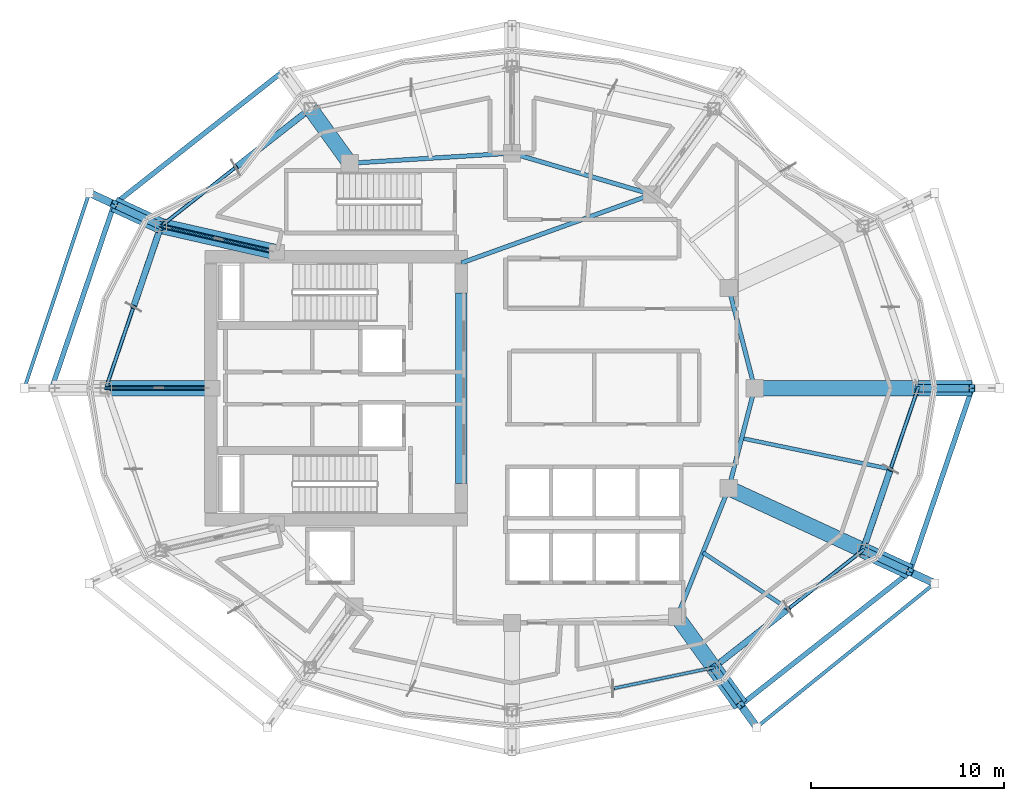
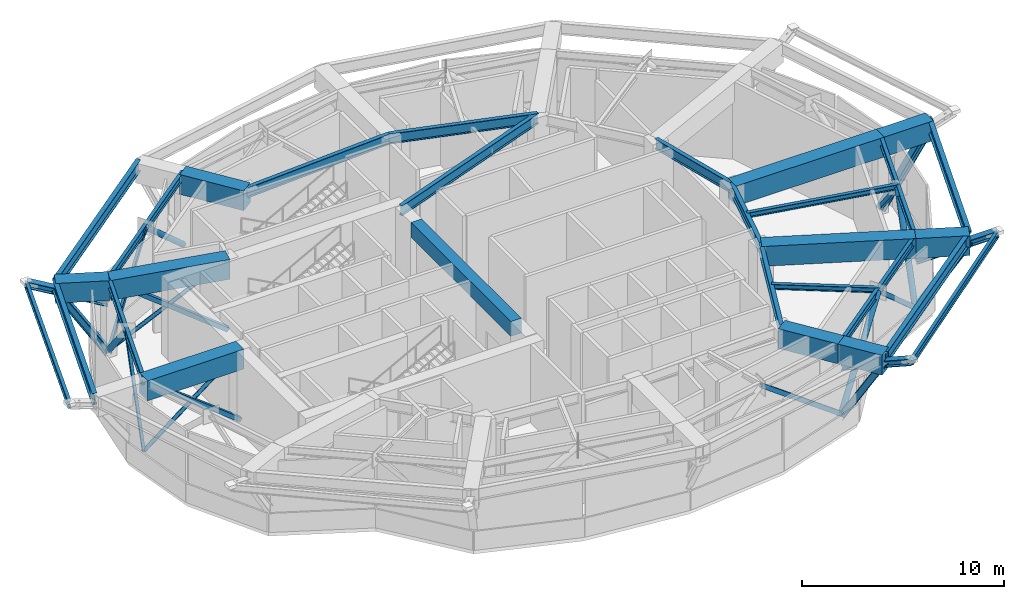
# One storey, part 2 of 13: 29 beams, 22 members.
"""IFC4 building model written with IfcOpenShell, lengths in metres."""

import ifcopenshell
import ifcopenshell.guid

model = None  # the IFC model being written
_history = None  # IfcOwnerHistory: only IFC2X3 demands one
_inside = {}  # id of a spatial element -> (the spatial element, [elements in it])
_under = {}  # id of a project, library or spatial element -> (it, [spatial elements below it])
_declared = {}  # id of a project -> (the project, [libraries it declares])
_typed = {}  # id of a type object -> (the type object, [elements of that type])
_made_of = {}  # id of a material, layer set ... -> (it, [elements and type objects made of it])


def new_model(schema):
    """Start an empty IFC model of exactly this schema.

    Asked for "IFC4X3", IfcOpenShell would pick the latest addendum, in which some entities
    have other attributes; the version numbers below select the first issue.
    IFC2X3 requires an IfcOwnerHistory on every rooted entity: one is made here for all.
    """
    global model, _history
    if schema == "IFC4X3":
        model = ifcopenshell.file(schema_version=(4, 3, 0, 0))
    else:
        model = ifcopenshell.file(schema=schema)
    _inside.clear()
    _under.clear()
    _declared.clear()
    _typed.clear()
    _made_of.clear()
    _history = None
    if model.schema == "IFC2X3":
        org = make("IfcOrganization", Name="unknown")
        user = make(
            "IfcPersonAndOrganization",
            ThePerson=make("IfcPerson", FamilyName="unknown"),
            TheOrganization=org,
        )
        app = make(
            "IfcApplication",
            ApplicationDeveloper=org,
            Version="unknown",
            ApplicationFullName="unknown",
            ApplicationIdentifier="unknown",
        )
        _history = make(
            "IfcOwnerHistory",
            OwningUser=user,
            OwningApplication=app,
            ChangeAction="ADDED",
            CreationDate=0,
        )
    return model


def make(cls, **values):
    """One entity of the class cls with the attributes given. An attribute that is None is left unset."""
    return model.create_entity(
        cls, **{name: value for name, value in values.items() if value is not None}
    )


def rooted(cls, **values):
    """An entity with a GlobalId (a new one), such as an element, a storey or a relation."""
    return make(cls, GlobalId=ifcopenshell.guid.new(), OwnerHistory=_history, **values)


def si_unit(unit_type, name, prefix=None):
    """IfcSIUnit, for example si_unit("LENGTHUNIT", "METRE", prefix="MILLI")."""
    return make("IfcSIUnit", UnitType=unit_type, Prefix=prefix, Name=name)


def assignment(units):
    """IfcUnitAssignment: the units of a project."""
    return None if units is None else make("IfcUnitAssignment", Units=units)


def point(xyz):
    """IfcCartesianPoint."""
    return None if xyz is None else make("IfcCartesianPoint", Coordinates=xyz)


def direction(xyz):
    """IfcDirection."""
    return None if xyz is None else make("IfcDirection", DirectionRatios=xyz)


def frame(location, z_axis=None, x_axis=None):
    """IfcAxis2Placement3D, a coordinate frame: its origin and axes. An axis left out is left unset."""
    return make(
        "IfcAxis2Placement3D",
        Location=point(location),
        Axis=direction(z_axis),
        RefDirection=direction(x_axis),
    )


def frame_2d(location, x_axis=None):
    """IfcAxis2Placement2D, a coordinate frame in the plane: its origin and x axis."""
    return make(
        "IfcAxis2Placement2D", Location=point(location), RefDirection=direction(x_axis)
    )


def origin():
    """The frame at (0, 0, 0) with its axes left unset."""
    return frame((0.0, 0.0, 0.0))


def origin_2d():
    """The frame at (0, 0) in the plane with its x axis left unset."""
    return frame_2d((0.0, 0.0))


def place(relative_to, where):
    """IfcLocalPlacement: puts the frame where relative to a parent placement (None: the world)."""
    return make(
        "IfcLocalPlacement", PlacementRelTo=relative_to, RelativePlacement=where
    )


def context(
    kind, dimensions, precision=None, world=None, true_north=None, identifier=None
):
    """IfcGeometricRepresentationContext, for example the 3D "Model" context."""
    return make(
        "IfcGeometricRepresentationContext",
        ContextIdentifier=identifier,
        ContextType=kind,
        CoordinateSpaceDimension=dimensions,
        Precision=precision,
        WorldCoordinateSystem=world,
        TrueNorth=true_north,
    )


def subcontext(parent, identifier, kind, view, scale=None):
    """IfcGeometricRepresentationSubContext, for example "Body" below "Model"."""
    return make(
        "IfcGeometricRepresentationSubContext",
        ContextIdentifier=identifier,
        ContextType=kind,
        ParentContext=parent,
        TargetScale=scale,
        TargetView=view,
    )


def project(units=None, contexts=None):
    """IfcProject with its units and contexts."""
    return rooted(
        "IfcProject",
        Name="project",
        RepresentationContexts=contexts,
        UnitsInContext=assignment(units),
    )


def spatial(cls, under=None, at=None, **own):
    """A site, building, storey or space (cls), placed at a placement, below another one or the project."""
    s = rooted(cls, ObjectPlacement=at, **own)
    if under is not None:
        _under.setdefault(under.id(), (under, []))[1].append(s)
    return s


def profile(cls, at=None, kind="AREA", **sizes):
    """A parametric profile (cls). Its sizes go by their IFC names, for example OverallWidth=200.0."""
    return make(cls, ProfileType=kind, Position=at, **sizes)


def rectangle(**sizes):
    """IfcRectangleProfileDef."""
    return profile("IfcRectangleProfileDef", **sizes)


def hollow_rectangle(**sizes):
    """IfcRectangleHollowProfileDef."""
    return profile("IfcRectangleHollowProfileDef", **sizes)


def hollow_circle(**sizes):
    """IfcCircleHollowProfileDef."""
    return profile("IfcCircleHollowProfileDef", **sizes)


def i_section(**sizes):
    """IfcIShapeProfileDef."""
    return profile("IfcIShapeProfileDef", **sizes)


def extrude(swept, where, along, depth):
    """IfcExtrudedAreaSolid: the profile swept, set in the frame where, extruded along a direction by depth."""
    return make(
        "IfcExtrudedAreaSolid",
        SweptArea=swept,
        Position=where,
        ExtrudedDirection=direction(along),
        Depth=depth,
    )


def shape(context_of_items, identifier, shape_type, items):
    """IfcShapeRepresentation: the items that make up one representation, for example the "Body"."""
    return make(
        "IfcShapeRepresentation",
        ContextOfItems=context_of_items,
        RepresentationIdentifier=identifier,
        RepresentationType=shape_type,
        Items=items,
    )


def material(Name=None, Category=None):
    """IfcMaterial."""
    return make("IfcMaterial", Name=Name, Category=Category)


def material_profile(
    of_material, cross_section, Name=None, Category=None, Priority=None
):
    """IfcMaterialProfile: a cross section and its material."""
    return make(
        "IfcMaterialProfile",
        Name=Name,
        Material=of_material,
        Profile=cross_section,
        Priority=Priority,
        Category=Category,
    )


def profile_set(profiles, Name=None, composite=None):
    """IfcMaterialProfileSet."""
    return make(
        "IfcMaterialProfileSet",
        Name=Name,
        MaterialProfiles=profiles,
        CompositeProfile=composite,
    )


def made_of(thing, what):
    """Note that an element or type object is made of a material, layer set ...; save() writes the relation."""
    if what is not None:
        _made_of.setdefault(what.id(), (what, []))[1].append(thing)
    return thing


def type_object(cls, material=None, **own):
    """A type object (cls), such as IfcWallType, which elements share."""
    return made_of(rooted(cls, **own), material)


def element(
    cls,
    number,
    at=None,
    inside=None,
    cuts=None,
    type_object=None,
    material=None,
    context=None,
    identifier="Body",
    shape_type=None,
    held_by="IfcProductDefinitionShape",
    body=None,
    shapes=None,
    **own,
):
    """One element of the class cls, such as IfcWall. Its Tag is "e" and its number.

    at: its placement. inside: the storey or other place that contains it. cuts: it is an
    opening in that element (IfcRelVoidsElement). A single representation is given by context,
    identifier, shape_type and body (its items); several are given by shapes. held_by: the class
    of the entity that holds the representations. save() writes the other relations.
    """
    e = rooted(cls, Tag="e%d" % number, ObjectPlacement=at, **own)
    if body is not None:
        shapes = [shape(context, identifier, shape_type, body)]
    if shapes is not None:
        e.Representation = make(held_by, Representations=shapes)
    if inside is not None:
        _inside.setdefault(inside.id(), (inside, []))[1].append(e)
    if cuts is not None:
        rooted(
            "IfcRelVoidsElement", RelatingBuildingElement=cuts, RelatedOpeningElement=e
        )
    if type_object is not None:
        _typed.setdefault(type_object.id(), (type_object, []))[1].append(e)
    return made_of(e, material)


def aggregate(whole, parts):
    """IfcRelAggregates: a whole, such as a stair, and the parts it consists of."""
    return rooted("IfcRelAggregates", RelatingObject=whole, RelatedObjects=parts)


def save(model, path):
    """Write the relations noted so far, then the file.

    IfcRelAggregates (storeys below a building ...), IfcRelContainedInSpatialStructure (elements
    in a storey), IfcRelDefinesByType, IfcRelAssociatesMaterial and IfcRelDeclares: one each for
    every whole, place, type object, material and project.
    """
    for whole, parts in _under.values():
        aggregate(whole, parts)
    for where, things in _inside.values():
        rooted(
            "IfcRelContainedInSpatialStructure",
            RelatedElements=things,
            RelatingStructure=where,
        )
    for kind, things in _typed.values():
        rooted("IfcRelDefinesByType", RelatedObjects=things, RelatingType=kind)
    for what, things in _made_of.values():
        rooted("IfcRelAssociatesMaterial", RelatedObjects=things, RelatingMaterial=what)
    for by, libraries in _declared.values():
        rooted("IfcRelDeclares", RelatingContext=by, RelatedDefinitions=libraries)
    model.write(path)


model = new_model("IFC4")

# Units and contexts
model_context = context("Model", 3, precision=1e-05, world=origin(), true_north=direction((0.0, 1.0)))
body_context = subcontext(model_context, "Body", "Model", "MODEL_VIEW")
ifc_project = project(units=[si_unit("LENGTHUNIT", "METRE"), si_unit("AREAUNIT", "SQUARE_METRE"), si_unit("VOLUMEUNIT", "CUBIC_METRE"), si_unit("PLANEANGLEUNIT", "RADIAN"), si_unit("MASSUNIT", "GRAM", prefix="KILO")], contexts=[model_context])

# Site, building, storey
site_placement = place(None, origin())
site = spatial("IfcSite", under=ifc_project, at=site_placement, CompositionType="ELEMENT")
building_placement = place(site_placement, origin())
building = spatial("IfcBuilding", under=site, at=building_placement, Name="Kolvaren Gate Tower and Convention Centre", CompositionType="ELEMENT")
storey_placement = place(building_placement, frame((0.0, 0.0, 186.89990234375)))
storey = spatial("IfcBuildingStorey", under=building, at=storey_placement, Name="L49", CompositionType="ELEMENT", Elevation=186.89990234375)

# Beams
ifc_material_1 = material(Name="Structural steel ASTM A992 Grade 345 MPa", Category="steel")
ifc_material_profile_1 = material_profile(ifc_material_1, i_section(OverallWidth=0.22998046875, OverallDepth=0.616943359375, WebThickness=0.01318359375, FlangeThickness=0.022216796875, at=origin_2d()), Name="W610X140")
ifc_profile_set_1 = profile_set([ifc_material_profile_1], Name="Structural steel ASTM A992 Grade 345 MPa")
beam_type_1 = type_object("IfcBeamType", Name="STR-BM-W610X140", PredefinedType="BEAM", material=ifc_profile_set_1)
beam_1_placement = place(storey_placement, frame((42.72509765625, 27.0, 4.41162109375), z_axis=(-0.250091133936, -0.968222301296, 0.0), x_axis=(0.968222301296, -0.250091133936, 0.0)))
element("IfcBeam", 1, at=beam_1_placement, inside=storey, type_object=beam_type_1, Name="Tower L49 Primary Ring Girder G-01", PredefinedType="BEAM", context=body_context, shape_type="SweptSolid", body=[
    extrude(i_section(OverallWidth=0.22998046875, OverallDepth=0.616943359375, WebThickness=0.01318359375, FlangeThickness=0.022216796875, at=origin_2d()), origin(), (0.0, 0.0, 1.0), 5.3701171875),
])
beam_2_placement = place(storey_placement, frame((37.381591796875, 37.054931640625, 4.41162109375), z_axis=(-0.958980837827, 0.283470902706, 0.0), x_axis=(-0.283470902706, -0.958980837827, 0.0)))
element("IfcBeam", 2, at=beam_2_placement, inside=storey, type_object=beam_type_1, Name="Tower L49 Primary Ring Girder G-03", PredefinedType="BEAM", context=body_context, shape_type="SweptSolid", body=[
    extrude(i_section(OverallWidth=0.22998046875, OverallDepth=0.616943359375, WebThickness=0.01318359375, FlangeThickness=0.022216796875, at=origin_2d()), origin(), (0.0, 0.0, 1.0), 7.56689453125),
])
beam_3_placement = place(storey_placement, frame((30.125, 39.199951171875, 4.41162109375), z_axis=(-0.998078258568, -0.06196603726, 0.0), x_axis=(0.06196603726, -0.998078258568, 0.0)))
element("IfcBeam", 3, at=beam_3_placement, inside=storey, type_object=beam_type_1, Name="Tower L49 Primary Ring Girder G-04", PredefinedType="BEAM", context=body_context, shape_type="SweptSolid", body=[
    extrude(i_section(OverallWidth=0.22998046875, OverallDepth=0.616943359375, WebThickness=0.01318359375, FlangeThickness=0.022216796875, at=origin_2d()), origin(), (0.0, 0.0, 1.0), 8.443115234375),
])
beam_4_placement = place(storey_placement, frame((38.6982421875, 15.12060546875, 4.41162109375), z_axis=(0.372811100169, 0.927907260232, 0.0), x_axis=(-0.927907260232, 0.372811100169, 0.0)))
element("IfcBeam", 4, at=beam_4_placement, inside=storey, type_object=beam_type_1, Name="Tower L49 Primary Ring Girder G-09", PredefinedType="BEAM", context=body_context, shape_type="SweptSolid", body=[
    extrude(i_section(OverallWidth=0.22998046875, OverallDepth=0.616943359375, WebThickness=0.01318359375, FlangeThickness=0.022216796875, at=origin_2d()), origin(), (0.0, 0.0, 1.0), 7.198974609375),
])
beam_5_placement = place(storey_placement, frame((27.5, 33.5, 4.41162109375), z_axis=(0.940961479908, 0.338513653093, 0.0), x_axis=(-0.338513653093, 0.940961479908, 0.0)))
element("IfcBeam", 5, at=beam_5_placement, inside=storey, type_object=beam_type_1, Name="Tower L49 Primary Ring Girder G-10", PredefinedType="BEAM", context=body_context, shape_type="SweptSolid", body=[
    extrude(i_section(OverallWidth=0.22998046875, OverallDepth=0.616943359375, WebThickness=0.01318359375, FlangeThickness=0.022216796875, at=origin_2d()), origin(), (0.0, 0.0, 1.0), 10.501708984375),
])
beam_6_placement = place(storey_placement, frame((42.72509765625, 27.0, 4.41162109375), z_axis=(-0.250091133936, 0.968222301296, 0.0), x_axis=(-0.968222301296, -0.250091133936, 0.0)))
element("IfcBeam", 6, at=beam_6_placement, inside=storey, type_object=beam_type_1, Name="Tower L49 Primary Ring Girder G-12", PredefinedType="BEAM", context=body_context, shape_type="SweptSolid", body=[
    extrude(i_section(OverallWidth=0.22998046875, OverallDepth=0.616943359375, WebThickness=0.01318359375, FlangeThickness=0.022216796875, at=origin_2d()), origin(), (0.0, 0.0, 1.0), 5.3701171875),
])
ifc_material_profile_2 = material_profile(ifc_material_1, i_section(OverallWidth=0.256103515625, OverallDepth=0.693115234375, WebThickness=0.014404296875, FlangeThickness=0.023681640625, at=origin_2d()), Name="W690X170")
ifc_profile_set_2 = profile_set([ifc_material_profile_2], Name="Structural steel ASTM A992 Grade 345 MPa")
beam_type_2 = type_object("IfcBeamType", Name="STR-BM-W690X170", PredefinedType="BEAM", material=ifc_profile_set_2)
beam_7_placement = place(storey_placement, frame((18.247314453125, 43.4580078125, 4.37353515625), z_axis=(-0.78579365551, -0.618488747643, 0.0), x_axis=(0.618488747643, -0.78579365551, 0.0)))
element("IfcBeam", 7, at=beam_7_placement, inside=storey, type_object=beam_type_2, Name="Tower L49 Flare Perimeter Edge Girder FSP-05", PredefinedType="BEAM", context=body_context, shape_type="SweptSolid", body=[
    extrude(i_section(OverallWidth=0.256103515625, OverallDepth=0.693115234375, WebThickness=0.014404296875, FlangeThickness=0.023681640625, at=origin_2d()), origin(), (0.0, 0.0, 1.0), 11.179443359375),
])
beam_8_placement = place(storey_placement, frame((9.462646484375, 36.543701171875, 4.37353515625), z_axis=(-0.321252507379, -0.946993572577, 0.0), x_axis=(0.946993572577, -0.321252507379, 0.0)))
element("IfcBeam", 8, at=beam_8_placement, inside=storey, type_object=beam_type_2, Name="Tower L49 Flare Perimeter Edge Girder FSP-06", PredefinedType="BEAM", context=body_context, shape_type="SweptSolid", body=[
    extrude(i_section(OverallWidth=0.256103515625, OverallDepth=0.693115234375, WebThickness=0.014404296875, FlangeThickness=0.023681640625, at=origin_2d()), origin(), (0.0, 0.0, 1.0), 10.077880859375),
])
beam_9_placement = place(storey_placement, frame((42.002685546875, 10.5419921875, 4.37353515625), z_axis=(0.78579365551, 0.618488747643, 0.0), x_axis=(-0.618488747643, 0.78579365551, 0.0)))
element("IfcBeam", 9, at=beam_9_placement, inside=storey, type_object=beam_type_2, Name="Tower L49 Flare Perimeter Edge Girder FSP-11", PredefinedType="BEAM", context=body_context, shape_type="SweptSolid", body=[
    extrude(i_section(OverallWidth=0.256103515625, OverallDepth=0.693115234375, WebThickness=0.014404296875, FlangeThickness=0.023681640625, at=origin_2d()), origin(), (0.0, 0.0, 1.0), 11.179443359375),
])
beam_10_placement = place(storey_placement, frame((50.787353515625, 17.456298828125, 4.37353515625), z_axis=(0.321252507379, 0.946993572577, 0.0), x_axis=(-0.946993572577, 0.321252507379, 0.0)))
element("IfcBeam", 10, at=beam_10_placement, inside=storey, type_object=beam_type_2, Name="Tower L49 Flare Perimeter Edge Girder FSP-12", PredefinedType="BEAM", context=body_context, shape_type="SweptSolid", body=[
    extrude(i_section(OverallWidth=0.256103515625, OverallDepth=0.693115234375, WebThickness=0.014404296875, FlangeThickness=0.023681640625, at=origin_2d()), origin(), (0.0, 0.0, 1.0), 10.077880859375),
])

# Members
ifc_material_2 = material(Name="Structural steel ASTM A500 Grade C 345 MPa", Category="steel")
ifc_material_profile_3 = material_profile(ifc_material_2, hollow_circle(Radius=0.162109375, WallThickness=0.015869140625, at=origin_2d()), Name="CHS324X15.9")
ifc_profile_set_3 = profile_set([ifc_material_profile_3], Name="Structural steel ASTM A500 Grade C 345 MPa")
member_type_1 = type_object("IfcMemberType", Name="STR-BR-CHS324", PredefinedType="BRACE", material=ifc_profile_set_3)
member_1_placement = place(storey_placement, frame((19.65380859375, 41.509521484375, 0.25), z_axis=(-0.596582450808, -0.468507270926, 0.651605951843), x_axis=(0.617629103131, -0.786469510512, 0.0)))
element("IfcMember", 11, at=member_1_placement, inside=storey, type_object=member_type_1, Name="Perimeter Belt Truss Diagonal BT-L49-05A", PredefinedType="BRACE", context=body_context, shape_type="SweptSolid", body=[
    extrude(hollow_circle(Radius=0.162109375, WallThickness=0.015869140625, at=origin_2d()), origin(), (0.0, 0.0, 1.0), 6.500244140625),
])
member_2_placement = place(storey_placement, frame((11.898193359375, 35.418701171875, 0.25), z_axis=(-0.232909940592, -0.685529736374, 0.689783980765), x_axis=(0.946844353058, -0.321692043859, 0.0)))
element("IfcMember", 12, at=member_2_placement, inside=storey, type_object=member_type_1, Name="Perimeter Belt Truss Diagonal BT-L49-06A", PredefinedType="BRACE", context=body_context, shape_type="SweptSolid", body=[
    extrude(hollow_circle(Radius=0.162109375, WallThickness=0.015869140625, at=origin_2d()), origin(), (0.0, 0.0, 1.0), 6.140380859375),
])
member_3_placement = place(storey_placement, frame((40.596435546875, 12.490478515625, 0.25), z_axis=(0.596558258833, 0.468517768727, 0.65162055232), x_axis=(-0.617653154697, 0.786450621777, 0.0)))
element("IfcMember", 13, at=member_3_placement, inside=storey, type_object=member_type_1, Name="Perimeter Belt Truss Diagonal BT-L49-11A", PredefinedType="BRACE", context=body_context, shape_type="SweptSolid", body=[
    extrude(hollow_circle(Radius=0.162109375, WallThickness=0.015869140625, at=origin_2d()), origin(), (0.0, 0.0, 1.0), 6.5),
])
member_4_placement = place(storey_placement, frame((48.351806640625, 18.581298828125, 0.25), z_axis=(0.232909940592, 0.685529736374, 0.689783980765), x_axis=(-0.946844353058, 0.321692043859, 0.0)))
element("IfcMember", 14, at=member_4_placement, inside=storey, type_object=member_type_1, Name="Perimeter Belt Truss Diagonal BT-L49-12A", PredefinedType="BRACE", context=body_context, shape_type="SweptSolid", body=[
    extrude(hollow_circle(Radius=0.162109375, WallThickness=0.015869140625, at=origin_2d()), origin(), (0.0, 0.0, 1.0), 6.140380859375),
])
ifc_material_profile_4 = material_profile(ifc_material_2, hollow_rectangle(XDim=0.152099609375, YDim=0.25390625, WallThickness=0.009521484375, at=origin_2d()), Name="HSS254X152X9.5")
ifc_profile_set_4 = profile_set([ifc_material_profile_4], Name="Structural steel ASTM A500 Grade C 345 MPa")
member_type_2 = type_object("IfcMemberType", Name="STR-BR-HSS254X152", PredefinedType="BRACE", material=ifc_profile_set_4)
member_5_placement = place(storey_placement, frame((11.898193359375, 35.418701171875, 0.25), z_axis=(0.596558258833, 0.468517768727, 0.65162055232), x_axis=(-0.617653154697, 0.786450621777, 0.0)))
element("IfcMember", 15, at=member_5_placement, inside=storey, type_object=member_type_2, Name="Perimeter Belt Truss Diagonal BT-L49-05B", PredefinedType="BRACE", context=body_context, shape_type="SweptSolid", body=[
    extrude(hollow_rectangle(XDim=0.152099609375, YDim=0.25390625, WallThickness=0.009521484375, at=origin_2d()), origin(), (0.0, 0.0, 1.0), 6.5),
])
member_6_placement = place(storey_placement, frame((9.03759765625, 27.0, 0.25), z_axis=(0.232953891756, 0.6855023123, 0.689796393254), x_axis=(-0.946821940386, 0.321758004102, 0.0)))
element("IfcMember", 16, at=member_6_placement, inside=storey, type_object=member_type_2, Name="Perimeter Belt Truss Diagonal BT-L49-06B", PredefinedType="BRACE", context=body_context, shape_type="SweptSolid", body=[
    extrude(hollow_rectangle(XDim=0.152099609375, YDim=0.25390625, WallThickness=0.009521484375, at=origin_2d()), origin(), (0.0, 0.0, 1.0), 6.140380859375),
])
member_7_placement = place(storey_placement, frame((40.596435546875, 12.490478515625, 0.25), z_axis=(-0.767377133118, -0.160517290831, 0.620778974283), x_axis=(0.204745195671, -0.978815306812, 0.0)))
element("IfcMember", 17, at=member_7_placement, inside=storey, type_object=member_type_2, Name="Perimeter Belt Truss Diagonal BT-L49-10B", PredefinedType="BRACE", context=body_context, shape_type="SweptSolid", body=[
    extrude(hollow_rectangle(XDim=0.152099609375, YDim=0.25390625, WallThickness=0.009521484375, at=origin_2d()), origin(), (0.0, 0.0, 1.0), 6.822998046875),
])
member_8_placement = place(storey_placement, frame((48.351806640625, 18.581298828125, 0.25), z_axis=(-0.596558258833, -0.468517768727, 0.65162055232), x_axis=(0.617653154697, -0.786450621777, 0.0)))
element("IfcMember", 18, at=member_8_placement, inside=storey, type_object=member_type_2, Name="Perimeter Belt Truss Diagonal BT-L49-11B", PredefinedType="BRACE", context=body_context, shape_type="SweptSolid", body=[
    extrude(hollow_rectangle(XDim=0.152099609375, YDim=0.25390625, WallThickness=0.009521484375, at=origin_2d()), origin(), (0.0, 0.0, 1.0), 6.5),
])
member_9_placement = place(storey_placement, frame((51.21240234375, 27.0, 0.25), z_axis=(-0.232953891756, -0.6855023123, 0.689796393254), x_axis=(0.946821940386, -0.321758004102, 0.0)))
element("IfcMember", 19, at=member_9_placement, inside=storey, type_object=member_type_2, Name="Perimeter Belt Truss Diagonal BT-L49-12B", PredefinedType="BRACE", context=body_context, shape_type="SweptSolid", body=[
    extrude(hollow_rectangle(XDim=0.152099609375, YDim=0.25390625, WallThickness=0.009521484375, at=origin_2d()), origin(), (0.0, 0.0, 1.0), 6.140380859375),
])
ifc_material_profile_5 = material_profile(ifc_material_2, hollow_rectangle(XDim=0.25390625, YDim=0.25390625, WallThickness=0.015869140625, at=origin_2d()), Name="HSS254X254X15.9")
ifc_profile_set_5 = profile_set([ifc_material_profile_5], Name="Structural steel ASTM A500 Grade C 345 MPa")
member_type_3 = type_object("IfcMemberType", Name="STR-BR-HSS254X254", PredefinedType="BRACE", material=ifc_profile_set_5)
member_10_placement = place(storey_placement, frame((17.9140625, 34.050048828125, 0.25), z_axis=(-0.803874458901, 0.182887066945, 0.565984253377), x_axis=(-0.221838314226, -0.975083464295, 0.0)))
element("IfcMember", 20, at=member_10_placement, inside=storey, type_object=member_type_3, Name="Outrigger Truss Diagonal OT-L49-01A", PredefinedType="BRACE", context=body_context, shape_type="SweptSolid", body=[
    extrude(hollow_rectangle(XDim=0.25390625, YDim=0.25390625, WallThickness=0.015869140625, at=origin_2d()), origin(), (0.0, 0.0, 1.0), 7.483642578125),
])
member_11_placement = place(storey_placement, frame((14.550048828125, 27.0, 0.25), z_axis=(-0.792954175118, 0.0, 0.609281278362), x_axis=(0.0, -1.0, 0.0)))
element("IfcMember", 21, at=member_11_placement, inside=storey, type_object=member_type_3, Name="Outrigger Truss Diagonal OT-L49-02A", PredefinedType="BRACE", context=body_context, shape_type="SweptSolid", body=[
    extrude(hollow_rectangle(XDim=0.25390625, YDim=0.25390625, WallThickness=0.015869140625, at=origin_2d()), origin(), (0.0, 0.0, 1.0), 6.951904296875),
])
ifc_material_profile_6 = material_profile(ifc_material_1, i_section(OverallWidth=0.39501953125, OverallDepth=0.3798828125, WebThickness=0.018798828125, FlangeThickness=0.0302734375, at=origin_2d()), Name="W360X237")
ifc_profile_set_6 = profile_set([ifc_material_profile_6], Name="Structural steel ASTM A992 Grade 345 MPa")
member_type_4 = type_object("IfcMemberType", Name="STR-CH-W360X237", PredefinedType="CHORD", material=ifc_profile_set_6)
member_12_placement = place(storey_placement, frame((51.21240234375, 27.0, 0.10009765625), z_axis=(0.573255263765, 0.0, 0.819376837948), x_axis=(0.0, 1.0, 0.0)))
element("IfcMember", 22, at=member_12_placement, inside=storey, type_object=member_type_4, Name="Waist Flare Inclined Transfer Strut FTS-01", PredefinedType="CHORD", context=body_context, shape_type="SweptSolid", body=[
    extrude(i_section(OverallWidth=0.39501953125, OverallDepth=0.3798828125, WebThickness=0.018798828125, FlangeThickness=0.0302734375, at=origin_2d()), origin(), (0.0, 0.0, 1.0), 4.90625),
])
member_13_placement = place(storey_placement, frame((11.898193359375, 35.418701171875, 0.10009765625), z_axis=(-0.503939045446, 0.232773769187, 0.831782309774), x_axis=(-0.41933515781, -0.907831496162, 0.0)))
element("IfcMember", 23, at=member_13_placement, inside=storey, type_object=member_type_4, Name="Waist Flare Inclined Transfer Strut FTS-06", PredefinedType="CHORD", context=body_context, shape_type="SweptSolid", body=[
    extrude(i_section(OverallWidth=0.39501953125, OverallDepth=0.3798828125, WebThickness=0.018798828125, FlangeThickness=0.0302734375, at=origin_2d()), origin(), (0.0, 0.0, 1.0), 4.8330078125),
])
member_14_placement = place(storey_placement, frame((40.596435546875, 12.490478515625, 0.10009765625), z_axis=(0.30025948463, -0.416036622713, 0.858345950332), x_axis=(0.810874759264, 0.585219723513, 0.0)))
element("IfcMember", 24, at=member_14_placement, inside=storey, type_object=member_type_4, Name="Waist Flare Inclined Transfer Strut FTS-11", PredefinedType="CHORD", context=body_context, shape_type="SweptSolid", body=[
    extrude(i_section(OverallWidth=0.39501953125, OverallDepth=0.3798828125, WebThickness=0.018798828125, FlangeThickness=0.0302734375, at=origin_2d()), origin(), (0.0, 0.0, 1.0), 4.683349609375),
])
member_15_placement = place(storey_placement, frame((48.351806640625, 18.581298828125, 0.10009765625), z_axis=(0.503939045446, -0.232773769187, 0.831782309774), x_axis=(0.41933515781, 0.907831496162, 0.0)))
element("IfcMember", 25, at=member_15_placement, inside=storey, type_object=member_type_4, Name="Waist Flare Inclined Transfer Strut FTS-12", PredefinedType="CHORD", context=body_context, shape_type="SweptSolid", body=[
    extrude(i_section(OverallWidth=0.39501953125, OverallDepth=0.3798828125, WebThickness=0.018798828125, FlangeThickness=0.0302734375, at=origin_2d()), origin(), (0.0, 0.0, 1.0), 4.8330078125),
])
member_16_placement = place(storey_placement, frame((11.898193359375, 35.418701171875, 3.170166015625), z_axis=(-0.85981753301, 0.397107651913, 0.32096623299), x_axis=(-0.419292130897, -0.907851369425, 0.0)))
element("IfcMember", 26, at=member_16_placement, inside=storey, type_object=member_type_4, Name="Tower L50 Planted Balcony Inclined Outrigger Strut BBRK-2A", PredefinedType="CHORD", context=body_context, shape_type="SweptSolid", body=[
    extrude(i_section(OverallWidth=0.39501953125, OverallDepth=0.3798828125, WebThickness=0.018798828125, FlangeThickness=0.0302734375, at=origin_2d()), origin(), (0.0, 0.0, 1.0), 4.331787109375),
])
member_17_placement = place(storey_placement, frame((40.596435546875, 12.490478515625, 3.170166015625), z_axis=(0.549923528754, -0.76207890081, 0.341789206183), x_axis=(0.810914919592, 0.58516407373, 0.0)))
element("IfcMember", 27, at=member_17_placement, inside=storey, type_object=member_type_4, Name="Tower L50 Planted Balcony Inclined Outrigger Strut BBRK-4A", PredefinedType="CHORD", context=body_context, shape_type="SweptSolid", body=[
    extrude(i_section(OverallWidth=0.39501953125, OverallDepth=0.3798828125, WebThickness=0.018798828125, FlangeThickness=0.0302734375, at=origin_2d()), origin(), (0.0, 0.0, 1.0), 4.06787109375),
])
member_18_placement = place(storey_placement, frame((48.351806640625, 18.581298828125, 3.170166015625), z_axis=(0.85981753301, -0.397107651913, 0.32096623299), x_axis=(0.419292130897, 0.907851369425, 0.0)))
element("IfcMember", 28, at=member_18_placement, inside=storey, type_object=member_type_4, Name="Tower L50 Planted Balcony Inclined Outrigger Strut BBRK-4B", PredefinedType="CHORD", context=body_context, shape_type="SweptSolid", body=[
    extrude(i_section(OverallWidth=0.39501953125, OverallDepth=0.3798828125, WebThickness=0.018798828125, FlangeThickness=0.0302734375, at=origin_2d()), origin(), (0.0, 0.0, 1.0), 4.331787109375),
])

# Beams
ifc_material_profile_7 = material_profile(ifc_material_1, i_section(OverallWidth=0.205078125, OverallDepth=0.31005859375, WebThickness=0.009521484375, FlangeThickness=0.016357421875, at=origin_2d()), Name="W310X74")
ifc_profile_set_7 = profile_set([ifc_material_profile_7], Name="Structural steel ASTM A992 Grade 345 MPa")
beam_type_3 = type_object("IfcBeamType", Name="STR-JS-W310X74", PredefinedType="JOIST", material=ifc_profile_set_7)
beam_11_placement = place(storey_placement, frame((40.040283203125, 18.46044921875, 4.565185546875), z_axis=(0.834762790112, -0.550609738602, 0.0), x_axis=(0.550609738602, 0.834762790112, 0.0)))
element("IfcBeam", 29, at=beam_11_placement, inside=storey, type_object=beam_type_3, Name="Tower L49 Secondary Composite Floor Joist J-11.1", PredefinedType="JOIST", context=body_context, shape_type="SweptSolid", body=[
    extrude(i_section(OverallWidth=0.205078125, OverallDepth=0.31005859375, WebThickness=0.009521484375, FlangeThickness=0.016357421875, at=origin_2d()), origin(), (0.0, 0.0, 1.0), 5.3115234375),
])
beam_12_placement = place(storey_placement, frame((42.0537109375, 24.400146484375, 4.565185546875), z_axis=(0.978997655145, -0.203871506641, 0.0), x_axis=(0.203871506641, 0.978997655145, 0.0)))
element("IfcBeam", 30, at=beam_12_placement, inside=storey, type_object=beam_type_3, Name="Tower L49 Secondary Composite Floor Joist J-12.1", PredefinedType="JOIST", context=body_context, shape_type="SweptSolid", body=[
    extrude(i_section(OverallWidth=0.205078125, OverallDepth=0.31005859375, WebThickness=0.009521484375, FlangeThickness=0.016357421875, at=origin_2d()), origin(), (0.0, 0.0, 1.0), 7.89404296875),
])
ifc_material_3 = material(Name="Concrete C60/75", Category="concrete")
ifc_material_profile_8 = material_profile(ifc_material_3, rectangle(XDim=0.60009765625, YDim=0.89990234375, at=origin_2d()), Name="RC-BM-600X900")
ifc_profile_set_8 = profile_set([ifc_material_profile_8], Name="Concrete C60/75")
beam_type_4 = type_object("IfcBeamType", Name="STR-LN-RC600X900", PredefinedType="LINTEL", material=ifc_profile_set_8)
beam_13_placement = place(storey_placement, frame((27.5, 22.050048828125, 4.27001953125), z_axis=(0.0, 1.0, 0.0), x_axis=(-1.0, 0.0, 0.0)))
element("IfcBeam", 31, at=beam_13_placement, inside=storey, type_object=beam_type_4, Name="Tower L49 Core Ductile Coupling Beam CB-01", PredefinedType="LINTEL", context=body_context, shape_type="SweptSolid", body=[
    extrude(rectangle(XDim=0.60009765625, YDim=0.89990234375, at=origin_2d()), origin(), (0.0, 0.0, 1.0), 9.89990234375),
])
ifc_material_profile_9 = material_profile(ifc_material_1, i_section(OverallWidth=0.180908203125, OverallDepth=0.4169921875, WebThickness=0.010986328125, FlangeThickness=0.018310546875, at=origin_2d()), Name="W410X85")
ifc_profile_set_9 = profile_set([ifc_material_profile_9], Name="Structural steel ASTM A992 Grade 345 MPa")
beam_type_5 = type_object("IfcBeamType", Name="STR-SP-W410X85", PredefinedType="SPANDREL", material=ifc_profile_set_9)
beam_14_placement = place(storey_placement, frame((8.173583984375, 37.138916015625, 4.51220703125), z_axis=(-0.315302138185, -0.948991339084, 0.0), x_axis=(0.948991339084, -0.315302138185, 0.0)))
element("IfcBeam", 32, at=beam_14_placement, inside=storey, type_object=beam_type_5, Name="Tower L50 Planted Balcony Header Tie Beam BT-2", PredefinedType="SPANDREL", context=body_context, shape_type="SweptSolid", body=[
    extrude(i_section(OverallWidth=0.180908203125, OverallDepth=0.4169921875, WebThickness=0.010986328125, FlangeThickness=0.018310546875, at=origin_2d()), origin(), (0.0, 0.0, 1.0), 10.683837890625),
])
beam_15_placement = place(storey_placement, frame((42.83349609375, 9.390380859375, 4.51220703125), z_axis=(0.777724470528, 0.62860531969, 0.0), x_axis=(-0.62860531969, 0.777724470528, 0.0)))
element("IfcBeam", 33, at=beam_15_placement, inside=storey, type_object=beam_type_5, Name="Tower L50 Planted Balcony Header Tie Beam BT-4", PredefinedType="SPANDREL", context=body_context, shape_type="SweptSolid", body=[
    extrude(i_section(OverallWidth=0.180908203125, OverallDepth=0.4169921875, WebThickness=0.010986328125, FlangeThickness=0.018310546875, at=origin_2d()), origin(), (0.0, 0.0, 1.0), 11.884521484375),
])
ifc_material_profile_10 = material_profile(ifc_material_1, i_section(OverallWidth=0.194091796875, OverallDepth=0.468994140625, WebThickness=0.0126953125, FlangeThickness=0.0205078125, at=origin_2d()), Name="W460X106")
ifc_profile_set_10 = profile_set([ifc_material_profile_10], Name="Structural steel ASTM A992 Grade 345 MPa")
beam_type_6 = type_object("IfcBeamType", Name="STR-SP-W460X106", PredefinedType="SPANDREL", material=ifc_profile_set_10)
beam_16_placement = place(storey_placement, frame((19.65380859375, 41.509521484375, 4.485595703125), z_axis=(-0.786460066421, -0.617641128752, 0.0), x_axis=(0.617641128752, -0.786460066421, 0.0)))
element("IfcBeam", 34, at=beam_16_placement, inside=storey, type_object=beam_type_6, Name="Tower L49 Perimeter Spandrel Beam SP-05", PredefinedType="SPANDREL", context=body_context, shape_type="SweptSolid", body=[
    extrude(i_section(OverallWidth=0.194091796875, OverallDepth=0.468994140625, WebThickness=0.0126953125, FlangeThickness=0.0205078125, at=origin_2d()), origin(), (0.0, 0.0, 1.0), 9.861328125),
])
beam_17_placement = place(storey_placement, frame((11.898193359375, 35.418701171875, 4.485595703125), z_axis=(-0.321725023609, -0.946833147489, 0.0), x_axis=(0.946833147489, -0.321725023609, 0.0)))
element("IfcBeam", 35, at=beam_17_placement, inside=storey, type_object=beam_type_6, Name="Tower L49 Perimeter Spandrel Beam SP-06", PredefinedType="SPANDREL", context=body_context, shape_type="SweptSolid", body=[
    extrude(i_section(OverallWidth=0.194091796875, OverallDepth=0.468994140625, WebThickness=0.0126953125, FlangeThickness=0.0205078125, at=origin_2d()), origin(), (0.0, 0.0, 1.0), 8.891357421875),
])
beam_18_placement = place(storey_placement, frame((40.596435546875, 12.490478515625, 4.485595703125), z_axis=(0.786450621777, 0.617653154697, 0.0), x_axis=(-0.617653154697, 0.786450621777, 0.0)))
element("IfcBeam", 36, at=beam_18_placement, inside=storey, type_object=beam_type_6, Name="Tower L49 Perimeter Spandrel Beam SP-11", PredefinedType="SPANDREL", context=body_context, shape_type="SweptSolid", body=[
    extrude(i_section(OverallWidth=0.194091796875, OverallDepth=0.468994140625, WebThickness=0.0126953125, FlangeThickness=0.0205078125, at=origin_2d()), origin(), (0.0, 0.0, 1.0), 9.861328125),
])
beam_19_placement = place(storey_placement, frame((48.351806640625, 18.581298828125, 4.485595703125), z_axis=(0.321725023609, 0.946833147489, 0.0), x_axis=(-0.946833147489, 0.321725023609, 0.0)))
element("IfcBeam", 37, at=beam_19_placement, inside=storey, type_object=beam_type_6, Name="Tower L49 Perimeter Spandrel Beam SP-12", PredefinedType="SPANDREL", context=body_context, shape_type="SweptSolid", body=[
    extrude(i_section(OverallWidth=0.194091796875, OverallDepth=0.468994140625, WebThickness=0.0126953125, FlangeThickness=0.0205078125, at=origin_2d()), origin(), (0.0, 0.0, 1.0), 8.891357421875),
])

# Members
ifc_material_profile_11 = material_profile(ifc_material_2, hollow_circle(Radius=0.109619140625, WallThickness=0.0126953125, at=origin_2d()), Name="CHS219X12.7")
ifc_profile_set_11 = profile_set([ifc_material_profile_11], Name="Structural steel ASTM A500 Grade C 345 MPa")
member_type_5 = type_object("IfcMemberType", Name="STR-ST-CHS219", PredefinedType="STRUT", material=ifc_profile_set_11)
member_19_placement = place(storey_placement, frame((11.898193359375, 35.418701171875, 0.25), z_axis=(0.803871157684, -0.182878894163, 0.5659915829), x_axis=(0.221829754783, 0.975085411589, 0.0)))
element("IfcMember", 38, at=member_19_placement, inside=storey, type_object=member_type_5, Name="Outrigger Truss Lower Counter-Strut OT-L49-01BA", PredefinedType="STRUT", context=body_context, shape_type="SweptSolid", body=[
    extrude(hollow_circle(Radius=0.109619140625, WallThickness=0.0126953125, at=origin_2d()), origin(), (0.0, 0.0, 1.0), 3.741943359375),
])
member_20_placement = place(storey_placement, frame((14.90625, 34.734375, 2.367919921875), z_axis=(0.803877760307, -0.182895240434, 0.565976923125), x_axis=(0.221846874312, 0.975081516776, 0.0)))
element("IfcMember", 39, at=member_20_placement, inside=storey, type_object=member_type_5, Name="Outrigger Truss Upper Counter-Strut OT-L49-01BB", PredefinedType="STRUT", context=body_context, shape_type="SweptSolid", body=[
    extrude(hollow_circle(Radius=0.109619140625, WallThickness=0.0126953125, at=origin_2d()), origin(), (0.0, 0.0, 1.0), 3.74169921875),
])
for number, where, z_axis, x_axis, name in (
    (40, (9.03759765625, 27.0, 0.25), (0.792924169756, 0.0, 0.6093203271), (0.0, 1.0, 0.0), "Outrigger Truss Lower Counter-Strut OT-L49-02BA"),
    (41, (11.793701171875, 27.0, 2.367919921875), (0.792984178171, 0.0, 0.60924222865), (0.0, 1.0, 0.0), "Outrigger Truss Upper Counter-Strut OT-L49-02BB"),
):
    element("IfcMember", number, at=place(storey_placement, frame(where, z_axis=z_axis, x_axis=x_axis)), inside=storey, type_object=member_type_5, Name=name, PredefinedType="STRUT", context=body_context, shape_type="SweptSolid", body=[
        extrude(hollow_circle(Radius=0.109619140625, WallThickness=0.0126953125, at=origin_2d()), origin(), (0.0, 0.0, 1.0), 3.475830078125),
    ])

# Beams
ifc_material_4 = material(Name="Concrete C70/85", Category="concrete")
ifc_material_profile_12 = material_profile(ifc_material_4, rectangle(XDim=0.800048828125, YDim=1.199951171875, at=origin_2d()), Name="RC-BM-800X1200")
ifc_profile_set_12 = profile_set([ifc_material_profile_12], Name="Concrete C70/85")
beam_type_7 = type_object("IfcBeamType", Name="STR-TG-RC800X1200", PredefinedType="USERDEFINED", material=ifc_profile_set_12)
beam_20_placement = place(storey_placement, frame((42.72509765625, 27.0, 4.12060546875), z_axis=(1.0, 0.0, 0.0), x_axis=(0.0, 1.0, 0.0)))
element("IfcBeam", 42, at=beam_20_placement, inside=storey, type_object=beam_type_7, Name="Tower L49 Zone-Transition Radial Transfer Girder XFG-01A", ObjectType="TRANSFER GIRDER", PredefinedType="USERDEFINED", context=body_context, shape_type="SweptSolid", body=[
    extrude(rectangle(XDim=0.800048828125, YDim=1.199951171875, at=origin_2d()), origin(), (0.0, 0.0, 1.0), 8.4873046875),
])
beam_21_placement = place(storey_placement, frame((51.21240234375, 27.0, 4.12060546875), z_axis=(1.0, 0.0, 0.0), x_axis=(0.0, 1.0, 0.0)))
element("IfcBeam", 43, at=beam_21_placement, inside=storey, type_object=beam_type_7, Name="Tower L49 Zone-Transition Radial Transfer Girder XFG-01B", ObjectType="TRANSFER GIRDER", PredefinedType="USERDEFINED", context=body_context, shape_type="SweptSolid", body=[
    extrude(rectangle(XDim=0.800048828125, YDim=1.199951171875, at=origin_2d()), origin(), (0.0, 0.0, 1.0), 2.8125),
])
beam_22_placement = place(storey_placement, frame((21.697998046875, 38.6767578125, 4.12060546875), z_axis=(-0.585171547435, 0.810909526441, 0.0), x_axis=(-0.810909526441, -0.585171547435, 0.0)))
element("IfcBeam", 44, at=beam_22_placement, inside=storey, type_object=beam_type_7, Name="Tower L49 Zone-Transition Radial Transfer Girder XFG-05A", ObjectType="TRANSFER GIRDER", PredefinedType="USERDEFINED", context=body_context, shape_type="SweptSolid", body=[
    extrude(rectangle(XDim=0.800048828125, YDim=1.199951171875, at=origin_2d()), origin(), (0.0, 0.0, 1.0), 3.493408203125),
])
beam_23_placement = place(storey_placement, frame((17.9140625, 34.050048828125, 4.12060546875), z_axis=(-0.975083464295, 0.221838314226, 0.0), x_axis=(-0.221838314226, -0.975083464295, 0.0)))
element("IfcBeam", 45, at=beam_23_placement, inside=storey, type_object=beam_type_7, Name="Tower L49 Zone-Transition Radial Transfer Girder XFG-06A", ObjectType="TRANSFER GIRDER", PredefinedType="USERDEFINED", context=body_context, shape_type="SweptSolid", body=[
    extrude(rectangle(XDim=0.800048828125, YDim=1.199951171875, at=origin_2d()), origin(), (0.0, 0.0, 1.0), 6.169677734375),
])
beam_24_placement = place(storey_placement, frame((11.898193359375, 35.418701171875, 4.12060546875), z_axis=(-0.907831496162, 0.41933515781, 0.0), x_axis=(-0.41933515781, -0.907831496162, 0.0)))
element("IfcBeam", 46, at=beam_24_placement, inside=storey, type_object=beam_type_7, Name="Tower L49 Zone-Transition Radial Transfer Girder XFG-06B", ObjectType="TRANSFER GIRDER", PredefinedType="USERDEFINED", context=body_context, shape_type="SweptSolid", body=[
    extrude(rectangle(XDim=0.800048828125, YDim=1.199951171875, at=origin_2d()), origin(), (0.0, 0.0, 1.0), 2.682861328125),
])
beam_25_placement = place(storey_placement, frame((14.550048828125, 27.0, 4.12060546875), z_axis=(-1.0, 0.0, 0.0), x_axis=(0.0, -1.0, 0.0)))
element("IfcBeam", 47, at=beam_25_placement, inside=storey, type_object=beam_type_7, Name="Tower L49 Zone-Transition Radial Transfer Girder XFG-07A", ObjectType="TRANSFER GIRDER", PredefinedType="USERDEFINED", context=body_context, shape_type="SweptSolid", body=[
    extrude(rectangle(XDim=0.800048828125, YDim=1.199951171875, at=origin_2d()), origin(), (0.0, 0.0, 1.0), 5.512451171875),
])
beam_26_placement = place(storey_placement, frame((38.6982421875, 15.12060546875, 4.12060546875), z_axis=(0.58521845229, -0.810875676722, 0.0), x_axis=(0.810875676722, 0.58521845229, 0.0)))
element("IfcBeam", 48, at=beam_26_placement, inside=storey, type_object=beam_type_7, Name="Tower L49 Zone-Transition Radial Transfer Girder XFG-11A", ObjectType="TRANSFER GIRDER", PredefinedType="USERDEFINED", context=body_context, shape_type="SweptSolid", body=[
    extrude(rectangle(XDim=0.800048828125, YDim=1.199951171875, at=origin_2d()), origin(), (0.0, 0.0, 1.0), 3.24365234375),
])
beam_27_placement = place(storey_placement, frame((40.596435546875, 12.490478515625, 4.12060546875), z_axis=(0.585219723513, -0.810874759264, 0.0), x_axis=(0.810874759264, 0.585219723513, 0.0)))
element("IfcBeam", 49, at=beam_27_placement, inside=storey, type_object=beam_type_7, Name="Tower L49 Zone-Transition Radial Transfer Girder XFG-11B", ObjectType="TRANSFER GIRDER", PredefinedType="USERDEFINED", context=body_context, shape_type="SweptSolid", body=[
    extrude(rectangle(XDim=0.800048828125, YDim=1.199951171875, at=origin_2d()), origin(), (0.0, 0.0, 1.0), 2.40283203125),
])
beam_28_placement = place(storey_placement, frame((41.382080078125, 21.800537109375, 4.12060546875), z_axis=(0.907838349939, -0.419320319542, 0.0), x_axis=(0.419320319542, 0.907838349939, 0.0)))
element("IfcBeam", 50, at=beam_28_placement, inside=storey, type_object=beam_type_7, Name="Tower L49 Zone-Transition Radial Transfer Girder XFG-12A", ObjectType="TRANSFER GIRDER", PredefinedType="USERDEFINED", context=body_context, shape_type="SweptSolid", body=[
    extrude(rectangle(XDim=0.800048828125, YDim=1.199951171875, at=origin_2d()), origin(), (0.0, 0.0, 1.0), 7.67724609375),
])
beam_29_placement = place(storey_placement, frame((48.351806640625, 18.581298828125, 4.12060546875), z_axis=(0.907831496162, -0.41933515781, 0.0), x_axis=(0.41933515781, 0.907831496162, 0.0)))
element("IfcBeam", 51, at=beam_29_placement, inside=storey, type_object=beam_type_7, Name="Tower L49 Zone-Transition Radial Transfer Girder XFG-12B", ObjectType="TRANSFER GIRDER", PredefinedType="USERDEFINED", context=body_context, shape_type="SweptSolid", body=[
    extrude(rectangle(XDim=0.800048828125, YDim=1.199951171875, at=origin_2d()), origin(), (0.0, 0.0, 1.0), 2.682861328125),
])

save(model, "model.ifc")
